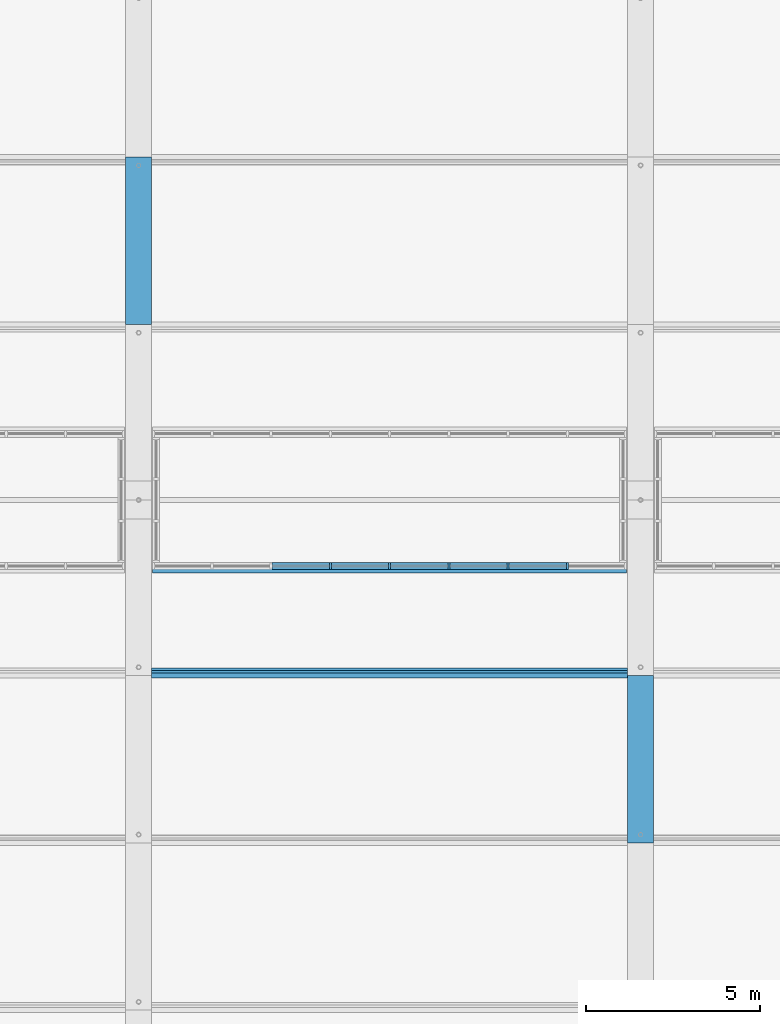
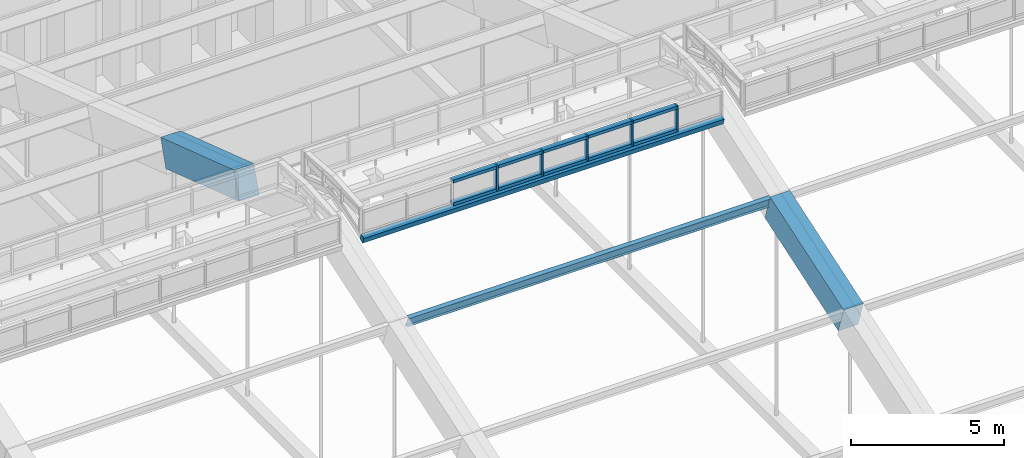
# One storey, part 35 of 149: 17 members, 2 beams, 1 element without a shape of its own.
"""IFC4 building model written with IfcOpenShell, lengths in metres."""

import ifcopenshell
import ifcopenshell.guid

model = None  # the IFC model being written
_history = None  # IfcOwnerHistory: only IFC2X3 demands one
_inside = {}  # id of a spatial element -> (the spatial element, [elements in it])
_under = {}  # id of a project, library or spatial element -> (it, [spatial elements below it])
_declared = {}  # id of a project -> (the project, [libraries it declares])
_typed = {}  # id of a type object -> (the type object, [elements of that type])
_made_of = {}  # id of a material, layer set ... -> (it, [elements and type objects made of it])


def new_model(schema):
    """Start an empty IFC model of exactly this schema.

    Asked for "IFC4X3", IfcOpenShell would pick the latest addendum, in which some entities
    have other attributes; the version numbers below select the first issue.
    IFC2X3 requires an IfcOwnerHistory on every rooted entity: one is made here for all.
    """
    global model, _history
    if schema == "IFC4X3":
        model = ifcopenshell.file(schema_version=(4, 3, 0, 0))
    else:
        model = ifcopenshell.file(schema=schema)
    _inside.clear()
    _under.clear()
    _declared.clear()
    _typed.clear()
    _made_of.clear()
    _history = None
    if model.schema == "IFC2X3":
        org = make("IfcOrganization", Name="unknown")
        user = make(
            "IfcPersonAndOrganization",
            ThePerson=make("IfcPerson", FamilyName="unknown"),
            TheOrganization=org,
        )
        app = make(
            "IfcApplication",
            ApplicationDeveloper=org,
            Version="unknown",
            ApplicationFullName="unknown",
            ApplicationIdentifier="unknown",
        )
        _history = make(
            "IfcOwnerHistory",
            OwningUser=user,
            OwningApplication=app,
            ChangeAction="ADDED",
            CreationDate=0,
        )
    return model


def make(cls, **values):
    """One entity of the class cls with the attributes given. An attribute that is None is left unset."""
    return model.create_entity(
        cls, **{name: value for name, value in values.items() if value is not None}
    )


def rooted(cls, **values):
    """An entity with a GlobalId (a new one), such as an element, a storey or a relation."""
    return make(cls, GlobalId=ifcopenshell.guid.new(), OwnerHistory=_history, **values)


def si_unit(unit_type, name, prefix=None):
    """IfcSIUnit, for example si_unit("LENGTHUNIT", "METRE", prefix="MILLI")."""
    return make("IfcSIUnit", UnitType=unit_type, Prefix=prefix, Name=name)


def assignment(units):
    """IfcUnitAssignment: the units of a project."""
    return None if units is None else make("IfcUnitAssignment", Units=units)


def point(xyz):
    """IfcCartesianPoint."""
    return None if xyz is None else make("IfcCartesianPoint", Coordinates=xyz)


def direction(xyz):
    """IfcDirection."""
    return None if xyz is None else make("IfcDirection", DirectionRatios=xyz)


def frame(location, z_axis=None, x_axis=None):
    """IfcAxis2Placement3D, a coordinate frame: its origin and axes. An axis left out is left unset."""
    return make(
        "IfcAxis2Placement3D",
        Location=point(location),
        Axis=direction(z_axis),
        RefDirection=direction(x_axis),
    )


def frame_2d(location, x_axis=None):
    """IfcAxis2Placement2D, a coordinate frame in the plane: its origin and x axis."""
    return make(
        "IfcAxis2Placement2D", Location=point(location), RefDirection=direction(x_axis)
    )


def origin():
    """The frame at (0, 0, 0) with its axes left unset."""
    return frame((0.0, 0.0, 0.0))


def origin_2d():
    """The frame at (0, 0) in the plane with its x axis left unset."""
    return frame_2d((0.0, 0.0))


def place(relative_to, where):
    """IfcLocalPlacement: puts the frame where relative to a parent placement (None: the world)."""
    return make(
        "IfcLocalPlacement", PlacementRelTo=relative_to, RelativePlacement=where
    )


def context(
    kind, dimensions, precision=None, world=None, true_north=None, identifier=None
):
    """IfcGeometricRepresentationContext, for example the 3D "Model" context."""
    return make(
        "IfcGeometricRepresentationContext",
        ContextIdentifier=identifier,
        ContextType=kind,
        CoordinateSpaceDimension=dimensions,
        Precision=precision,
        WorldCoordinateSystem=world,
        TrueNorth=true_north,
    )


def subcontext(parent, identifier, kind, view, scale=None):
    """IfcGeometricRepresentationSubContext, for example "Body" below "Model"."""
    return make(
        "IfcGeometricRepresentationSubContext",
        ContextIdentifier=identifier,
        ContextType=kind,
        ParentContext=parent,
        TargetScale=scale,
        TargetView=view,
    )


def project(units=None, contexts=None):
    """IfcProject with its units and contexts."""
    return rooted(
        "IfcProject",
        Name="project",
        RepresentationContexts=contexts,
        UnitsInContext=assignment(units),
    )


def spatial(cls, under=None, at=None, **own):
    """A site, building, storey or space (cls), placed at a placement, below another one or the project."""
    s = rooted(cls, ObjectPlacement=at, **own)
    if under is not None:
        _under.setdefault(under.id(), (under, []))[1].append(s)
    return s


def profile(cls, at=None, kind="AREA", **sizes):
    """A parametric profile (cls). Its sizes go by their IFC names, for example OverallWidth=200.0."""
    return make(cls, ProfileType=kind, Position=at, **sizes)


def rectangle(**sizes):
    """IfcRectangleProfileDef."""
    return profile("IfcRectangleProfileDef", **sizes)


def i_section(**sizes):
    """IfcIShapeProfileDef."""
    return profile("IfcIShapeProfileDef", **sizes)


def extrude(swept, where, along, depth):
    """IfcExtrudedAreaSolid: the profile swept, set in the frame where, extruded along a direction by depth."""
    return make(
        "IfcExtrudedAreaSolid",
        SweptArea=swept,
        Position=where,
        ExtrudedDirection=direction(along),
        Depth=depth,
    )


def shape(context_of_items, identifier, shape_type, items):
    """IfcShapeRepresentation: the items that make up one representation, for example the "Body"."""
    return make(
        "IfcShapeRepresentation",
        ContextOfItems=context_of_items,
        RepresentationIdentifier=identifier,
        RepresentationType=shape_type,
        Items=items,
    )


def material(Name=None, Category=None):
    """IfcMaterial."""
    return make("IfcMaterial", Name=Name, Category=Category)


def material_profile(
    of_material, cross_section, Name=None, Category=None, Priority=None
):
    """IfcMaterialProfile: a cross section and its material."""
    return make(
        "IfcMaterialProfile",
        Name=Name,
        Material=of_material,
        Profile=cross_section,
        Priority=Priority,
        Category=Category,
    )


def profile_set(profiles, Name=None, composite=None):
    """IfcMaterialProfileSet."""
    return make(
        "IfcMaterialProfileSet",
        Name=Name,
        MaterialProfiles=profiles,
        CompositeProfile=composite,
    )


def made_of(thing, what):
    """Note that an element or type object is made of a material, layer set ...; save() writes the relation."""
    if what is not None:
        _made_of.setdefault(what.id(), (what, []))[1].append(thing)
    return thing


def type_object(cls, material=None, **own):
    """A type object (cls), such as IfcWallType, which elements share."""
    return made_of(rooted(cls, **own), material)


def element(
    cls,
    number,
    at=None,
    inside=None,
    cuts=None,
    type_object=None,
    material=None,
    context=None,
    identifier="Body",
    shape_type=None,
    held_by="IfcProductDefinitionShape",
    body=None,
    shapes=None,
    **own,
):
    """One element of the class cls, such as IfcWall. Its Tag is "e" and its number.

    at: its placement. inside: the storey or other place that contains it. cuts: it is an
    opening in that element (IfcRelVoidsElement). A single representation is given by context,
    identifier, shape_type and body (its items); several are given by shapes. held_by: the class
    of the entity that holds the representations. save() writes the other relations.
    """
    e = rooted(cls, Tag="e%d" % number, ObjectPlacement=at, **own)
    if body is not None:
        shapes = [shape(context, identifier, shape_type, body)]
    if shapes is not None:
        e.Representation = make(held_by, Representations=shapes)
    if inside is not None:
        _inside.setdefault(inside.id(), (inside, []))[1].append(e)
    if cuts is not None:
        rooted(
            "IfcRelVoidsElement", RelatingBuildingElement=cuts, RelatedOpeningElement=e
        )
    if type_object is not None:
        _typed.setdefault(type_object.id(), (type_object, []))[1].append(e)
    return made_of(e, material)


def aggregate(whole, parts):
    """IfcRelAggregates: a whole, such as a stair, and the parts it consists of."""
    return rooted("IfcRelAggregates", RelatingObject=whole, RelatedObjects=parts)


def save(model, path):
    """Write the relations noted so far, then the file.

    IfcRelAggregates (storeys below a building ...), IfcRelContainedInSpatialStructure (elements
    in a storey), IfcRelDefinesByType, IfcRelAssociatesMaterial and IfcRelDeclares: one each for
    every whole, place, type object, material and project.
    """
    for whole, parts in _under.values():
        aggregate(whole, parts)
    for where, things in _inside.values():
        rooted(
            "IfcRelContainedInSpatialStructure",
            RelatedElements=things,
            RelatingStructure=where,
        )
    for kind, things in _typed.values():
        rooted("IfcRelDefinesByType", RelatedObjects=things, RelatingType=kind)
    for what, things in _made_of.values():
        rooted("IfcRelAssociatesMaterial", RelatedObjects=things, RelatingMaterial=what)
    for by, libraries in _declared.values():
        rooted("IfcRelDeclares", RelatingContext=by, RelatedDefinitions=libraries)
    model.write(path)


model = new_model("IFC4")

# Units and contexts
model_context = context("Model", 3, precision=1e-05, world=origin(), true_north=direction((0.0, 1.0)))
body_context = subcontext(model_context, "Body", "Model", "MODEL_VIEW")
ifc_project = project(units=[si_unit("LENGTHUNIT", "METRE"), si_unit("AREAUNIT", "SQUARE_METRE"), si_unit("VOLUMEUNIT", "CUBIC_METRE"), si_unit("PLANEANGLEUNIT", "RADIAN"), si_unit("MASSUNIT", "GRAM", prefix="KILO")], contexts=[model_context])

# Site, building, storey
site_placement = place(None, origin())
site = spatial("IfcSite", under=ifc_project, at=site_placement, CompositionType="ELEMENT")
building_placement = place(site_placement, origin())
building = spatial("IfcBuilding", under=site, at=building_placement, Name="Alderwick Market Hall", CompositionType="ELEMENT")
storey_placement = place(building_placement, frame((0.0, 0.0, 9.60009765625)))
storey = spatial("IfcBuildingStorey", under=building, at=storey_placement, Name="L01", CompositionType="ELEMENT", Elevation=9.60009765625)

# Beams
ifc_material_1 = material(Name="Concrete 5000 psi (f'c 35 MPa)", Category="concrete")
ifc_material_profile_1 = material_profile(ifc_material_1, rectangle(XDim=0.75, YDim=1.10009765625, at=origin_2d()), Name="RC 750x1100")
ifc_profile_set_1 = profile_set([ifc_material_profile_1], Name="Concrete 5000 psi (f'c 35 MPa)")
beam_type = type_object("IfcBeamType", Name="R Arch Rib Crown 750x1100", PredefinedType="BEAM", material=ifc_profile_set_1)
beam_1_placement = place(storey_placement, frame((64.800048828125, 84.063232421875, 14.78955078125), z_axis=(0.0, 0.948692948114, -0.316198814353), x_axis=(-1.0, 0.0, 0.0)))
element("IfcBeam", 1, at=beam_1_placement, inside=storey, type_object=beam_type, Name="Arch rib 2 chord 8", PredefinedType="BEAM", context=body_context, shape_type="SweptSolid", body=[
    extrude(rectangle(XDim=0.75, YDim=1.10009765625, at=origin_2d()), origin(), (0.0, 0.0, 1.0), 5.0595703125),
])
beam_2_placement = place(storey_placement, frame((79.199951171875, 69.536865234375, 13.189697265625), z_axis=(0.0, 0.948688123414, 0.316213289559), x_axis=(-1.0, 0.0, 0.0)))
element("IfcBeam", 2, at=beam_2_placement, inside=storey, type_object=beam_type, Name="Arch rib 3 chord 5", PredefinedType="BEAM", context=body_context, shape_type="SweptSolid", body=[
    extrude(rectangle(XDim=0.75, YDim=1.10009765625, at=origin_2d()), origin(), (0.0, 0.0, 1.0), 5.059326171875),
])

# Curtain wall, members
ifc_material_2 = material(Name="Aluminium", Category="aluminium")
curtain_wall_type = type_object("IfcCurtainWallType", Name="R Curtain Wall Frame", PredefinedType="NOTDEFINED", material=ifc_material_2)
curtain_wall_placement = place(storey_placement, origin())
curtain_wall = element("IfcCurtainWall", 3, at=curtain_wall_placement, inside=storey, type_object=curtain_wall_type, Name="Curtain wall LCW S2", PredefinedType="NOTDEFINED")
ifc_material_profile_2 = material_profile(ifc_material_2, rectangle(XDim=0.199951171875, YDim=0.06005859375, at=origin_2d()), Name="AL 60x200")
ifc_profile_set_2 = profile_set([ifc_material_profile_2], Name="Aluminium")
member_type_1 = type_object("IfcMemberType", Name="R CW Mullion 60x200", PredefinedType="MULLION", material=ifc_profile_set_2)
member_1_placement = place(storey_placement, frame((70.300048828125, 77.300048828125, 16.670166015625), z_axis=(0.0, 0.0, 1.0), x_axis=(0.0, 1.0, 0.0)))
member_1 = element("IfcMember", 4, at=member_1_placement, type_object=member_type_1, Name="LCW S2 mullion 4", PredefinedType="MULLION", context=body_context, shape_type="SweptSolid", body=[
    extrude(rectangle(XDim=0.199951171875, YDim=0.06005859375, at=origin_2d()), origin(), (0.0, 0.0, 1.0), 1.02978515625),
])
member_2_placement = place(storey_placement, frame((72.0, 77.300048828125, 16.670166015625), z_axis=(0.0, 0.0, 1.0), x_axis=(0.0, 1.0, 0.0)))
member_2 = element("IfcMember", 5, at=member_2_placement, type_object=member_type_1, Name="LCW S2 mullion 5", PredefinedType="MULLION", context=body_context, shape_type="SweptSolid", body=[
    extrude(rectangle(XDim=0.199951171875, YDim=0.06005859375, at=origin_2d()), origin(), (0.0, 0.0, 1.0), 1.02978515625),
])
member_3_placement = place(storey_placement, frame((73.699951171875, 77.300048828125, 16.670166015625), z_axis=(0.0, 0.0, 1.0), x_axis=(0.0, 1.0, 0.0)))
member_3 = element("IfcMember", 6, at=member_3_placement, type_object=member_type_1, Name="LCW S2 mullion 6", PredefinedType="MULLION", context=body_context, shape_type="SweptSolid", body=[
    extrude(rectangle(XDim=0.199951171875, YDim=0.06005859375, at=origin_2d()), origin(), (0.0, 0.0, 1.0), 1.02978515625),
])
member_4_placement = place(storey_placement, frame((75.39990234375, 77.300048828125, 16.670166015625), z_axis=(0.0, 0.0, 1.0), x_axis=(0.0, 1.0, 0.0)))
member_4 = element("IfcMember", 7, at=member_4_placement, type_object=member_type_1, Name="LCW S2 mullion 7", PredefinedType="MULLION", context=body_context, shape_type="SweptSolid", body=[
    extrude(rectangle(XDim=0.199951171875, YDim=0.06005859375, at=origin_2d()), origin(), (0.0, 0.0, 1.0), 1.02978515625),
])
member_5_placement = place(storey_placement, frame((77.10009765625, 77.300048828125, 16.670166015625), z_axis=(0.0, 0.0, 1.0), x_axis=(0.0, 1.0, 0.0)))
member_5 = element("IfcMember", 8, at=member_5_placement, type_object=member_type_1, Name="LCW S2 mullion 8", PredefinedType="MULLION", context=body_context, shape_type="SweptSolid", body=[
    extrude(rectangle(XDim=0.199951171875, YDim=0.06005859375, at=origin_2d()), origin(), (0.0, 0.0, 1.0), 1.02978515625),
])
ifc_material_profile_3 = material_profile(ifc_material_2, rectangle(XDim=0.199951171875, YDim=0.1201171875, at=origin_2d()), Name="AL 120x200")
ifc_profile_set_3 = profile_set([ifc_material_profile_3], Name="Aluminium")
member_type_2 = type_object("IfcMemberType", Name="R CW Transom 120x200", PredefinedType="USERDEFINED", material=ifc_profile_set_3)
member_6_placement = place(storey_placement, frame((68.6298828125, 77.300048828125, 16.730224609375), z_axis=(1.0, 0.0, 0.0), x_axis=(0.0, 1.0, 0.0)))
member_6 = element("IfcMember", 9, at=member_6_placement, type_object=member_type_2, Name="LCW S2 sill transom 3", ObjectType="TRANSOM", PredefinedType="USERDEFINED", context=body_context, shape_type="SweptSolid", body=[
    extrude(rectangle(XDim=0.199951171875, YDim=0.1201171875, at=origin_2d()), origin(), (0.0, 0.0, 1.0), 1.64013671875),
])
member_7_placement = place(storey_placement, frame((68.6298828125, 77.300048828125, 17.639892578125), z_axis=(1.0, 0.0, 0.0), x_axis=(0.0, 1.0, 0.0)))
member_7 = element("IfcMember", 10, at=member_7_placement, type_object=member_type_2, Name="LCW S2 head transom 3", ObjectType="TRANSOM", PredefinedType="USERDEFINED", context=body_context, shape_type="SweptSolid", body=[
    extrude(rectangle(XDim=0.199951171875, YDim=0.1201171875, at=origin_2d()), origin(), (0.0, 0.0, 1.0), 1.64013671875),
])
member_8_placement = place(storey_placement, frame((70.330078125, 77.300048828125, 16.730224609375), z_axis=(1.0, 0.0, 0.0), x_axis=(0.0, 1.0, 0.0)))
member_8 = element("IfcMember", 11, at=member_8_placement, type_object=member_type_2, Name="LCW S2 sill transom 4", ObjectType="TRANSOM", PredefinedType="USERDEFINED", context=body_context, shape_type="SweptSolid", body=[
    extrude(rectangle(XDim=0.199951171875, YDim=0.1201171875, at=origin_2d()), origin(), (0.0, 0.0, 1.0), 1.639892578125),
])
member_9_placement = place(storey_placement, frame((70.330078125, 77.300048828125, 17.639892578125), z_axis=(1.0, 0.0, 0.0), x_axis=(0.0, 1.0, 0.0)))
member_9 = element("IfcMember", 12, at=member_9_placement, type_object=member_type_2, Name="LCW S2 head transom 4", ObjectType="TRANSOM", PredefinedType="USERDEFINED", context=body_context, shape_type="SweptSolid", body=[
    extrude(rectangle(XDim=0.199951171875, YDim=0.1201171875, at=origin_2d()), origin(), (0.0, 0.0, 1.0), 1.639892578125),
])
member_10_placement = place(storey_placement, frame((72.030029296875, 77.300048828125, 16.730224609375), z_axis=(1.0, 0.0, 0.0), x_axis=(0.0, 1.0, 0.0)))
member_10 = element("IfcMember", 13, at=member_10_placement, type_object=member_type_2, Name="LCW S2 sill transom 5", ObjectType="TRANSOM", PredefinedType="USERDEFINED", context=body_context, shape_type="SweptSolid", body=[
    extrude(rectangle(XDim=0.199951171875, YDim=0.1201171875, at=origin_2d()), origin(), (0.0, 0.0, 1.0), 1.639892578125),
])
member_11_placement = place(storey_placement, frame((72.030029296875, 77.300048828125, 17.639892578125), z_axis=(1.0, 0.0, 0.0), x_axis=(0.0, 1.0, 0.0)))
member_11 = element("IfcMember", 14, at=member_11_placement, type_object=member_type_2, Name="LCW S2 head transom 5", ObjectType="TRANSOM", PredefinedType="USERDEFINED", context=body_context, shape_type="SweptSolid", body=[
    extrude(rectangle(XDim=0.199951171875, YDim=0.1201171875, at=origin_2d()), origin(), (0.0, 0.0, 1.0), 1.639892578125),
])
member_12_placement = place(storey_placement, frame((73.72998046875, 77.300048828125, 16.730224609375), z_axis=(1.0, 0.0, 0.0), x_axis=(0.0, 1.0, 0.0)))
member_12 = element("IfcMember", 15, at=member_12_placement, type_object=member_type_2, Name="LCW S2 sill transom 6", ObjectType="TRANSOM", PredefinedType="USERDEFINED", context=body_context, shape_type="SweptSolid", body=[
    extrude(rectangle(XDim=0.199951171875, YDim=0.1201171875, at=origin_2d()), origin(), (0.0, 0.0, 1.0), 1.64013671875),
])
member_13_placement = place(storey_placement, frame((73.72998046875, 77.300048828125, 17.639892578125), z_axis=(1.0, 0.0, 0.0), x_axis=(0.0, 1.0, 0.0)))
member_13 = element("IfcMember", 16, at=member_13_placement, type_object=member_type_2, Name="LCW S2 head transom 6", ObjectType="TRANSOM", PredefinedType="USERDEFINED", context=body_context, shape_type="SweptSolid", body=[
    extrude(rectangle(XDim=0.199951171875, YDim=0.1201171875, at=origin_2d()), origin(), (0.0, 0.0, 1.0), 1.64013671875),
])
member_14_placement = place(storey_placement, frame((75.429931640625, 77.300048828125, 16.730224609375), z_axis=(1.0, 0.0, 0.0), x_axis=(0.0, 1.0, 0.0)))
member_14 = element("IfcMember", 17, at=member_14_placement, type_object=member_type_2, Name="LCW S2 sill transom 7", ObjectType="TRANSOM", PredefinedType="USERDEFINED", context=body_context, shape_type="SweptSolid", body=[
    extrude(rectangle(XDim=0.199951171875, YDim=0.1201171875, at=origin_2d()), origin(), (0.0, 0.0, 1.0), 1.64013671875),
])
member_15_placement = place(storey_placement, frame((75.429931640625, 77.300048828125, 17.639892578125), z_axis=(1.0, 0.0, 0.0), x_axis=(0.0, 1.0, 0.0)))
member_15 = element("IfcMember", 18, at=member_15_placement, type_object=member_type_2, Name="LCW S2 head transom 7", ObjectType="TRANSOM", PredefinedType="USERDEFINED", context=body_context, shape_type="SweptSolid", body=[
    extrude(rectangle(XDim=0.199951171875, YDim=0.1201171875, at=origin_2d()), origin(), (0.0, 0.0, 1.0), 1.64013671875),
])
ifc_material_3 = material(Name="Steel ASTM A572 Grade 50", Category="steel")
ifc_material_profile_4 = material_profile(ifc_material_3, rectangle(XDim=0.199951171875, YDim=0.25, at=origin_2d()), Name="Steel plate curb 200x250")
ifc_profile_set_4 = profile_set([ifc_material_profile_4], Name="Steel ASTM A572 Grade 50")
member_type_3 = type_object("IfcMemberType", Name="R Lantern Curb 200x250", PredefinedType="MEMBER", material=ifc_profile_set_4)
member_16_placement = place(storey_placement, frame((65.199951171875, 77.235107421875, 16.551513671875), z_axis=(1.0, 0.0, 0.0), x_axis=(0.0, 0.948683297073, 0.316227768949)))
member_16 = element("IfcMember", 19, at=member_16_placement, type_object=member_type_3, Name="Lantern curb S2", PredefinedType="MEMBER", context=body_context, shape_type="SweptSolid", body=[
    extrude(rectangle(XDim=0.199951171875, YDim=0.25, at=origin_2d()), origin(), (0.0, 0.0, 1.0), 13.60009765625),
])
aggregate(curtain_wall, [member_1, member_2, member_3, member_4, member_5, member_6, member_7, member_8, member_9, member_10, member_11, member_12, member_13, member_14, member_15, member_16])

# Member
ifc_material_4 = material(Name="Steel ASTM A992 Grade 50", Category="steel")
ifc_material_profile_5 = material_profile(ifc_material_4, i_section(OverallWidth=0.153076171875, OverallDepth=0.455078125, WebThickness=0.008056640625, FlangeThickness=0.01318359375, at=origin_2d()), Name="W18x40")
ifc_profile_set_5 = profile_set([ifc_material_profile_5], Name="Steel ASTM A992 Grade 50")
member_type_4 = type_object("IfcMemberType", Name="R Purlin W18x40", PredefinedType="PURLIN", material=ifc_profile_set_5)
member_17_placement = place(storey_placement, frame((65.175048828125, 74.236572265625, 15.08984375), z_axis=(1.0, 0.0, 0.0), x_axis=(0.0, 0.948683297073, 0.316227768949)))
element("IfcMember", 20, at=member_17_placement, inside=storey, type_object=member_type_4, Name="Roof purlin 6.2", PredefinedType="PURLIN", context=body_context, shape_type="SweptSolid", body=[
    extrude(i_section(OverallWidth=0.153076171875, OverallDepth=0.455078125, WebThickness=0.008056640625, FlangeThickness=0.01318359375, at=origin_2d()), origin(), (0.0, 0.0, 1.0), 13.64990234375),
])

save(model, "model.ifc")
